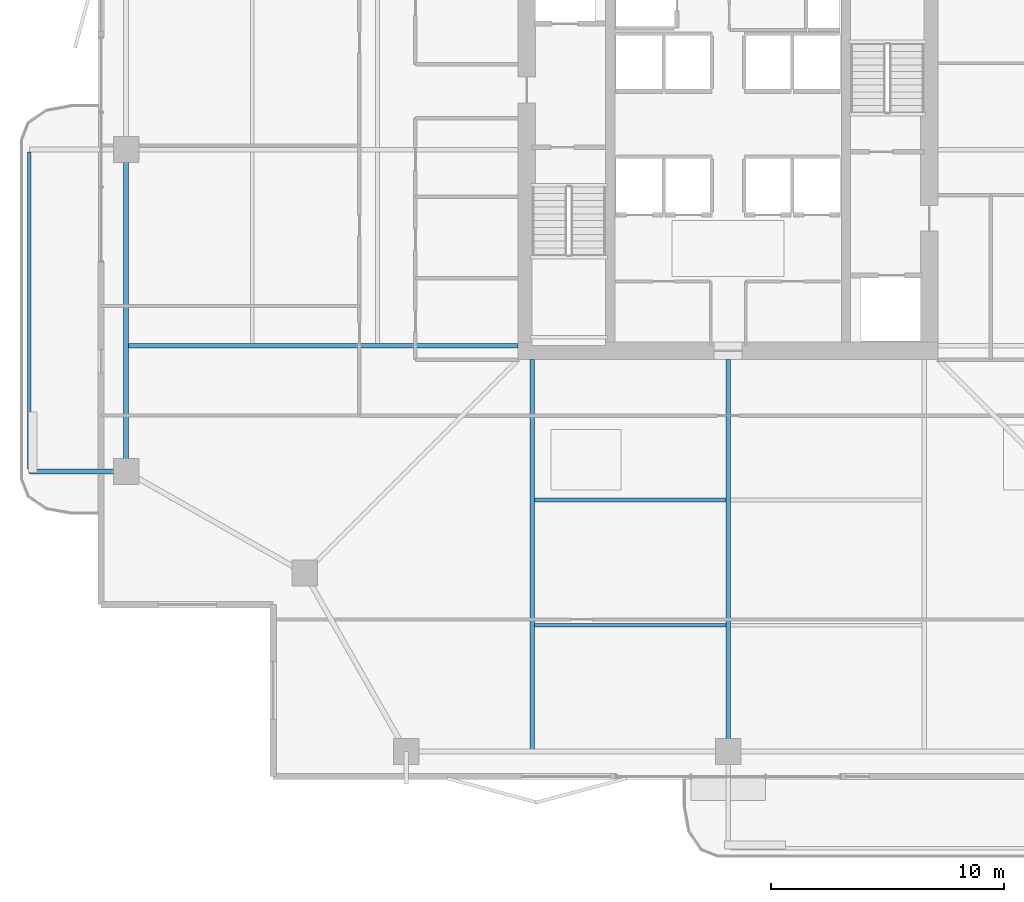
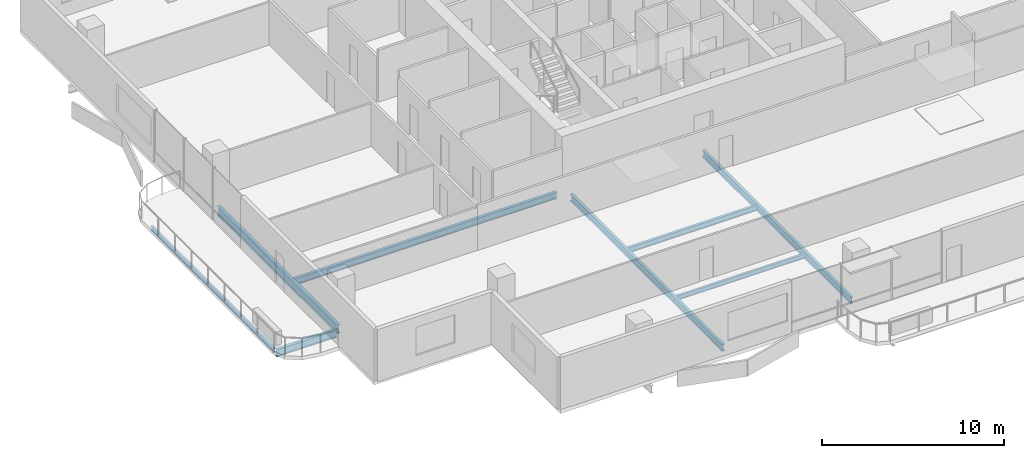
# One storey, part 3 of 24: 8 beams.
"""IFC4 building model written with IfcOpenShell, lengths in metres."""

from ifc_helpers import new_model, si_unit, direction, frame, origin, origin_2d, place, context, subcontext, project, spatial, i_section, extrude, material, material_profile, profile_set, type_object, element, save


model = new_model("IFC4")

# Units and contexts
model_context = context("Model", 3, precision=1e-05, world=origin(), true_north=direction((0.0, 1.0)))
body_context = subcontext(model_context, "Body", "Model", "MODEL_VIEW")
ifc_project = project(units=[si_unit("LENGTHUNIT", "METRE"), si_unit("AREAUNIT", "SQUARE_METRE"), si_unit("VOLUMEUNIT", "CUBIC_METRE"), si_unit("PLANEANGLEUNIT", "RADIAN"), si_unit("MASSUNIT", "GRAM", prefix="KILO")], contexts=[model_context])

# Site, building, storey
site_placement = place(None, origin())
site = spatial("IfcSite", under=ifc_project, at=site_placement, CompositionType="ELEMENT")
building_placement = place(site_placement, origin())
building = spatial("IfcBuilding", under=site, at=building_placement, Name="Belovzor Exchange Tower", CompositionType="ELEMENT")
storey_placement = place(building_placement, frame((0.0, 0.0, 222.449951171875)))
storey = spatial("IfcBuildingStorey", under=building, at=storey_placement, Name="L55", CompositionType="ELEMENT", Elevation=222.449951171875)

# Beams
ifc_material_1 = material(Name="Steel S355", Category="steel")
ifc_material_profile_1 = material_profile(ifc_material_1, i_section(OverallWidth=0.199951171875, OverallDepth=0.5, WebThickness=0.01025390625, FlangeThickness=0.01611328125, at=origin_2d()))
ifc_profile_set_1 = profile_set([ifc_material_profile_1], Name="Steel S355")
beam_type_1 = type_object("IfcBeamType", Name="Planted Balcony Cantilever Beam IPE 500", PredefinedType="BEAM", material=ifc_profile_set_1)
beam_1_placement = place(storey_placement, frame((2.697021484375, 15.0, -0.5), z_axis=(-1.0, 0.0, 0.0), x_axis=(0.0, -1.0, 0.0)))
element("IfcBeam", 1, at=beam_1_placement, inside=storey, type_object=beam_type_1, Name="BC-500 Planted Balcony Cantilever Beam IPE 500", PredefinedType="BEAM", context=body_context, shape_type="SweptSolid", body=[
    extrude(i_section(OverallWidth=0.199951171875, OverallDepth=0.5, WebThickness=0.01025390625, FlangeThickness=0.01611328125, at=origin_2d()), origin(), (0.0, 0.0, 1.0), 3.85009765625),
])
ifc_material_2 = material(Name="Steel S355", Category="steel")
ifc_material_profile_2 = material_profile(ifc_material_2, i_section(OverallWidth=0.14990234375, OverallDepth=0.300048828125, WebThickness=0.007080078125, FlangeThickness=0.0107421875, at=origin_2d()))
ifc_profile_set_2 = profile_set([ifc_material_profile_2], Name="Steel S355")
beam_type_2 = type_object("IfcBeamType", Name="Planted Balcony Fascia Edge Beam IPE 300", PredefinedType="BEAM", material=ifc_profile_set_2)
beam_2_placement = place(storey_placement, frame((-1.153076171875, 28.699951171875, -0.39990234375), z_axis=(0.0, -1.0, 0.0), x_axis=(1.0, 0.0, 0.0)))
element("IfcBeam", 2, at=beam_2_placement, inside=storey, type_object=beam_type_2, Name="BC-300 Planted Balcony Fascia Edge Beam IPE 300", PredefinedType="BEAM", context=body_context, shape_type="SweptSolid", body=[
    extrude(i_section(OverallWidth=0.14990234375, OverallDepth=0.300048828125, WebThickness=0.007080078125, FlangeThickness=0.0107421875, at=origin_2d()), origin(), (0.0, 0.0, 1.0), 13.599853515625),
])
ifc_material_3 = material(Name="Steel S355", Category="steel")
ifc_material_profile_3 = material_profile(ifc_material_3, i_section(OverallWidth=0.169921875, OverallDepth=0.360107421875, WebThickness=0.008056640625, FlangeThickness=0.0126953125, at=origin_2d()))
ifc_profile_set_3 = profile_set([ifc_material_profile_3], Name="Steel S355")
beam_type_3 = type_object("IfcBeamType", Name="Secondary Infill Floor Joist IPE 360", PredefinedType="BEAM", material=ifc_profile_set_3)
beam_3_placement = place(storey_placement, frame((20.4951171875, 13.77197265625, -0.429931640625), z_axis=(1.0, 0.0, 0.0), x_axis=(0.0, 1.0, 0.0)))
element("IfcBeam", 3, at=beam_3_placement, inside=storey, type_object=beam_type_3, Name="FJ-360 Secondary Infill Floor Joist IPE 360", PredefinedType="BEAM", context=body_context, shape_type="SweptSolid", body=[
    extrude(i_section(OverallWidth=0.169921875, OverallDepth=0.360107421875, WebThickness=0.008056640625, FlangeThickness=0.0126953125, at=origin_2d()), origin(), (0.0, 0.0, 1.0), 8.2099609375),
])
ifc_material_4 = material(Name="Steel S355", Category="steel")
ifc_material_profile_4 = material_profile(ifc_material_4, i_section(OverallWidth=0.14990234375, OverallDepth=0.300048828125, WebThickness=0.007080078125, FlangeThickness=0.0107421875, at=origin_2d()))
ifc_profile_set_4 = profile_set([ifc_material_profile_4], Name="Steel S355")
beam_type_4 = type_object("IfcBeamType", Name="Secondary Trim Floor Joist IPE 300", PredefinedType="BEAM", material=ifc_profile_set_4)
beam_4_placement = place(storey_placement, frame((20.4951171875, 8.4130859375, -0.39990234375), z_axis=(1.0, 0.0, 0.0), x_axis=(0.0, 1.0, 0.0)))
element("IfcBeam", 4, at=beam_4_placement, inside=storey, type_object=beam_type_4, Name="FJ-300 Secondary Trim Floor Joist IPE 300", PredefinedType="BEAM", context=body_context, shape_type="SweptSolid", body=[
    extrude(i_section(OverallWidth=0.14990234375, OverallDepth=0.300048828125, WebThickness=0.007080078125, FlangeThickness=0.0107421875, at=origin_2d()), origin(), (0.0, 0.0, 1.0), 8.2099609375),
])
ifc_material_5 = material(Name="Steel S355", Category="steel")
ifc_material_profile_5 = material_profile(ifc_material_5, i_section(OverallWidth=0.18994140625, OverallDepth=0.449951171875, WebThickness=0.009521484375, FlangeThickness=0.0146484375, at=origin_2d()))
ifc_profile_set_5 = profile_set([ifc_material_profile_5], Name="Steel S355")
beam_type_5 = type_object("IfcBeamType", Name="Zone 2-4 Radial Composite Floor Beam IPE 450", PredefinedType="BEAM", material=ifc_profile_set_5)
beam_5_placement = place(storey_placement, frame((20.39990234375, 19.800048828125, -0.474853515625), z_axis=(0.0, -1.0, 0.0), x_axis=(1.0, 0.0, 0.0)))
element("IfcBeam", 5, at=beam_5_placement, inside=storey, type_object=beam_type_5, Name="FB-450 Zone 2-4 Radial Composite Floor Beam IPE 450", PredefinedType="BEAM", context=body_context, shape_type="SweptSolid", body=[
    extrude(i_section(OverallWidth=0.18994140625, OverallDepth=0.449951171875, WebThickness=0.009521484375, FlangeThickness=0.0146484375, at=origin_2d()), origin(), (0.0, 0.0, 1.0), 16.7451171875),
])
beam_6_placement = place(storey_placement, frame((28.800048828125, 19.800048828125, -0.474853515625), z_axis=(0.0, -1.0, 0.0), x_axis=(1.0, 0.0, 0.0)))
element("IfcBeam", 6, at=beam_6_placement, inside=storey, type_object=beam_type_5, Name="FB-450 Zone 2-4 Radial Composite Floor Beam IPE 450", PredefinedType="BEAM", context=body_context, shape_type="SweptSolid", body=[
    extrude(i_section(OverallWidth=0.18994140625, OverallDepth=0.449951171875, WebThickness=0.009521484375, FlangeThickness=0.0146484375, at=origin_2d()), origin(), (0.0, 0.0, 1.0), 16.316162109375),
])
beam_7_placement = place(storey_placement, frame((19.800048828125, 20.39990234375, -0.474853515625), z_axis=(-1.0, 0.0, 0.0), x_axis=(0.0, -1.0, 0.0)))
element("IfcBeam", 7, at=beam_7_placement, inside=storey, type_object=beam_type_5, Name="FB-450 Zone 2-4 Radial Composite Floor Beam IPE 450", PredefinedType="BEAM", context=body_context, shape_type="SweptSolid", body=[
    extrude(i_section(OverallWidth=0.18994140625, OverallDepth=0.449951171875, WebThickness=0.009521484375, FlangeThickness=0.0146484375, at=origin_2d()), origin(), (0.0, 0.0, 1.0), 16.7451171875),
])
ifc_material_6 = material(Name="Steel S355", Category="steel")
ifc_material_profile_6 = material_profile(ifc_material_6, i_section(OverallWidth=0.219970703125, OverallDepth=0.60009765625, WebThickness=0.011962890625, FlangeThickness=0.01904296875, at=origin_2d()))
ifc_profile_set_6 = profile_set([ifc_material_profile_6], Name="Steel S355")
beam_type_6 = type_object("IfcBeamType", Name="Zone 4 Flare Primary Girder IPE 600", PredefinedType="BEAM", material=ifc_profile_set_6)
beam_8_placement = place(storey_placement, frame((3.0, 28.498046875, -0.550048828125), z_axis=(0.0, -1.0, 0.0), x_axis=(1.0, 0.0, 0.0)))
element("IfcBeam", 8, at=beam_8_placement, inside=storey, type_object=beam_type_6, Name="FG-Z4 Zone 4 Flare Primary Girder IPE 600", PredefinedType="BEAM", context=body_context, shape_type="SweptSolid", body=[
    extrude(i_section(OverallWidth=0.219970703125, OverallDepth=0.60009765625, WebThickness=0.011962890625, FlangeThickness=0.01904296875, at=origin_2d()), origin(), (0.0, 0.0, 1.0), 13.195068359375),
])

save(model, "model.ifc")
